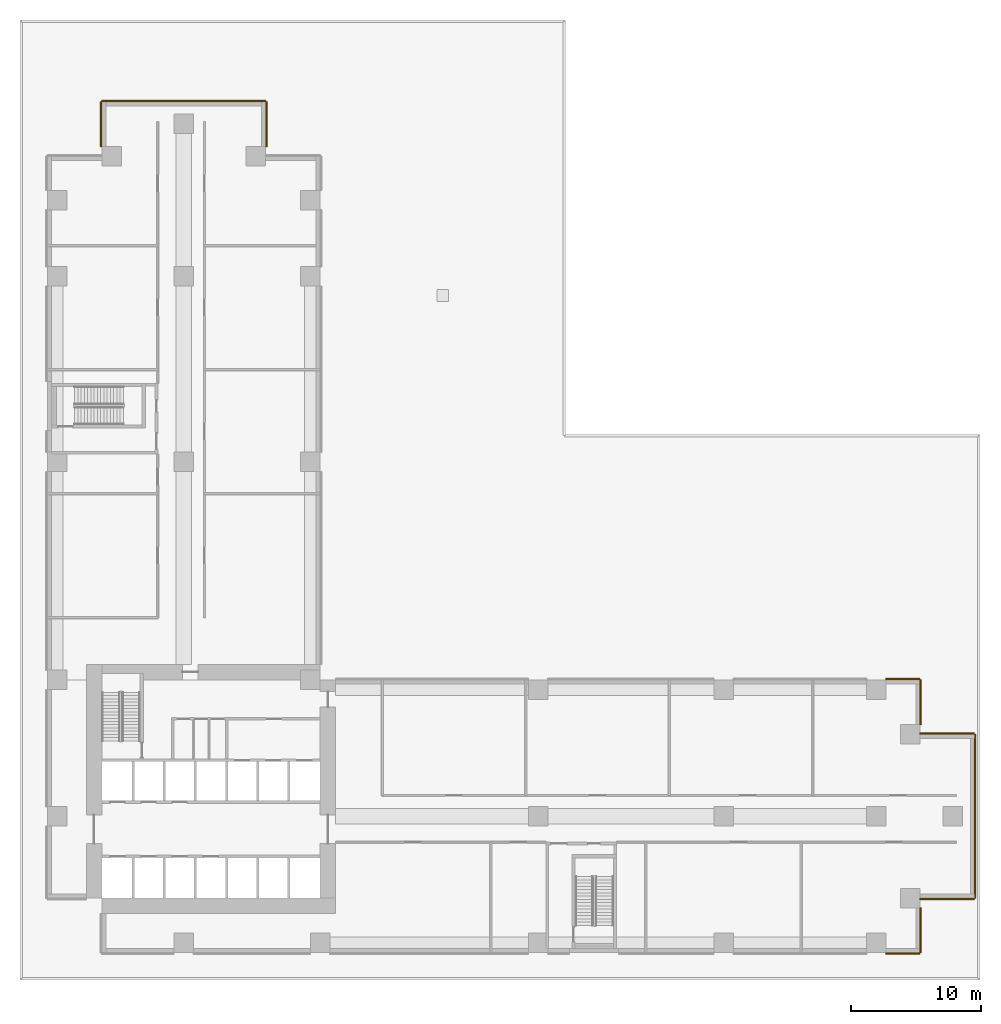
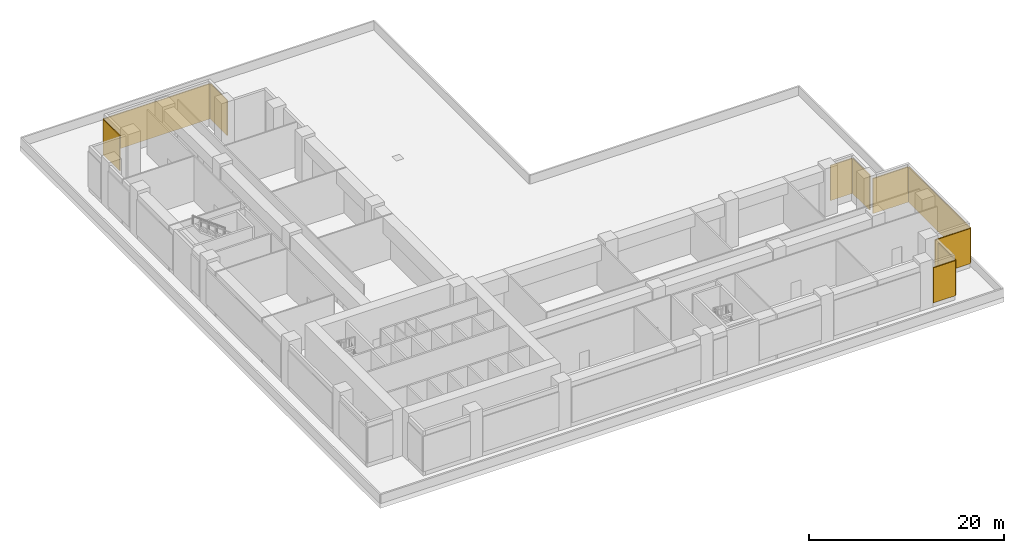
# One storey, part 11 of 11: 10 coverings.
"""IFC4 building model written with IfcOpenShell, lengths in metres."""

from ifc_helpers import new_model, si_unit, direction, frame, origin, origin_2d, place, context, subcontext, project, spatial, rectangle, extrude, source, transform, mapped, material, type_object, element, save


model = new_model("IFC4")

# Units and contexts
model_context = context("Model", 3, precision=1e-05, world=origin(), true_north=direction((0.0, 1.0)))
body_context = subcontext(model_context, "Body", "Model", "MODEL_VIEW")
ifc_project = project(units=[si_unit("LENGTHUNIT", "METRE"), si_unit("AREAUNIT", "SQUARE_METRE"), si_unit("VOLUMEUNIT", "CUBIC_METRE"), si_unit("PLANEANGLEUNIT", "RADIAN"), si_unit("MASSUNIT", "GRAM", prefix="KILO")], contexts=[model_context])

# Site, building, storey
site_placement = place(None, origin())
site = spatial("IfcSite", under=ifc_project, at=site_placement, CompositionType="ELEMENT")
building_placement = place(site_placement, origin())
building = spatial("IfcBuilding", under=site, at=building_placement, Name="Aurelian Terraces", CompositionType="ELEMENT")
storey_placement = place(building_placement, frame((0.0, 0.0, 34.5)))
storey = spatial("IfcBuildingStorey", under=building, at=storey_placement, Name="L06", CompositionType="ELEMENT", Elevation=34.5)

# Coverings
ifc_material = material(Name="Terracotta rainscreen cladding louvre blades", Category="masonry")
covering_type = type_object("IfcCoveringType", Name="LOUVRE-TC", PredefinedType="CLADDING", material=ifc_material)
covering_1_placement = place(storey_placement, frame((65.895, -0.06, 0.6), z_axis=(0.0, 0.0, 1.0), x_axis=(1.0, 0.0, 0.0)))
element("IfcCovering", 1, at=covering_1_placement, inside=storey, type_object=covering_type, Name="LOUVRE L06 F01", PredefinedType="CLADDING", context=body_context, shape_type="SweptSolid", body=[
    extrude(rectangle(XDim=2.61, YDim=0.12, at=origin_2d()), origin(), (0.0, 0.0, 1.0), 4.4),
])
covering_2_placement = place(storey_placement, frame((67.26, 1.725, 0.6), z_axis=(0.0, 0.0, 1.0), x_axis=(1.0, 0.0, 0.0)))
element("IfcCovering", 2, at=covering_2_placement, inside=storey, type_object=covering_type, Name="LOUVRE L06 F02", PredefinedType="CLADDING", context=body_context, shape_type="SweptSolid", body=[
    extrude(rectangle(XDim=0.12, YDim=3.45, at=origin_2d()), origin(), (0.0, 0.0, 1.0), 4.4),
])
covering_3_placement = place(storey_placement, frame((69.3, 4.14, 0.6), z_axis=(0.0, 0.0, 1.0), x_axis=(1.0, 0.0, 0.0)))
element("IfcCovering", 3, at=covering_3_placement, inside=storey, type_object=covering_type, Name="LOUVRE L06 F03", PredefinedType="CLADDING", context=body_context, shape_type="SweptSolid", body=[
    extrude(rectangle(XDim=4.2, YDim=0.12, at=origin_2d()), origin(), (0.0, 0.0, 1.0), 4.4),
])
covering_4_placement = place(storey_placement, frame((71.46, 10.5, 0.6), z_axis=(0.0, 0.0, 1.0), x_axis=(1.0, 0.0, 0.0)))
element("IfcCovering", 4, at=covering_4_placement, inside=storey, type_object=covering_type, Name="LOUVRE L06 F04", PredefinedType="CLADDING", context=body_context, shape_type="SweptSolid", body=[
    extrude(rectangle(XDim=0.12, YDim=12.6, at=origin_2d()), origin(), (0.0, 0.0, 1.0), 4.4),
])
covering_5_placement = place(storey_placement, frame((10.5, 65.58, 0.6), z_axis=(0.0, 0.0, 1.0), x_axis=(1.0, 0.0, 0.0)))
element("IfcCovering", 5, at=covering_5_placement, inside=storey, type_object=covering_type, Name="LOUVRE L06 F11", PredefinedType="CLADDING", context=body_context, shape_type="SweptSolid", body=[
    extrude(rectangle(XDim=12.6, YDim=0.12, at=origin_2d()), origin(), (0.0, 0.0, 1.0), 4.4),
])
shared_shape_1 = source(origin(), body_context, "Body", "SweptSolid", [
    extrude(rectangle(XDim=4.2, YDim=0.12, at=origin_2d()), origin(), (0.0, 0.0, 1.0), 4.4),
])
covering_6_placement = place(storey_placement, frame((69.3, 16.86, 0.6), z_axis=(0.0, 0.0, 1.0), x_axis=(1.0, 0.0, 0.0)))
element("IfcCovering", 6, at=covering_6_placement, inside=storey, type_object=covering_type, Name="LOUVRE L06 F05", PredefinedType="CLADDING", context=body_context, shape_type="MappedRepresentation", body=[
    mapped(shared_shape_1, transform((0.0, 0.0, 0.0), scale=1.0)),
])
shared_shape_2 = source(origin(), body_context, "Body", "SweptSolid", [
    extrude(rectangle(XDim=0.12, YDim=3.45, at=origin_2d()), origin(), (0.0, 0.0, 1.0), 4.4),
])
for number, where, z_axis, x_axis, name in (
    (7, (67.26, 19.275, 0.6), (0.0, 0.0, 1.0), (1.0, 0.0, 0.0), "LOUVRE L06 F06"),
    (8, (16.86, 63.795, 0.6), (0.0, 0.0, 1.0), (1.0, 0.0, 0.0), "LOUVRE L06 F10"),
    (9, (4.14, 63.795, 0.6), (0.0, 0.0, 1.0), (1.0, 0.0, 0.0), "LOUVRE L06 F12"),
):
    element("IfcCovering", number, at=place(storey_placement, frame(where, z_axis=z_axis, x_axis=x_axis)), inside=storey, type_object=covering_type, Name=name, PredefinedType="CLADDING", context=body_context, shape_type="MappedRepresentation", body=[
        mapped(shared_shape_2, transform((0.0, 0.0, 0.0), scale=1.0)),
    ])
shared_shape_3 = source(origin(), body_context, "Body", "SweptSolid", [
    extrude(rectangle(XDim=2.61, YDim=0.12, at=origin_2d()), origin(), (0.0, 0.0, 1.0), 4.4),
])
covering_7_placement = place(storey_placement, frame((65.895, 21.06, 0.6), z_axis=(0.0, 0.0, 1.0), x_axis=(1.0, 0.0, 0.0)))
element("IfcCovering", 10, at=covering_7_placement, inside=storey, type_object=covering_type, Name="LOUVRE L06 F07", PredefinedType="CLADDING", context=body_context, shape_type="MappedRepresentation", body=[
    mapped(shared_shape_3, transform((0.0, 0.0, 0.0), scale=1.0)),
])

save(model, "model.ifc")
